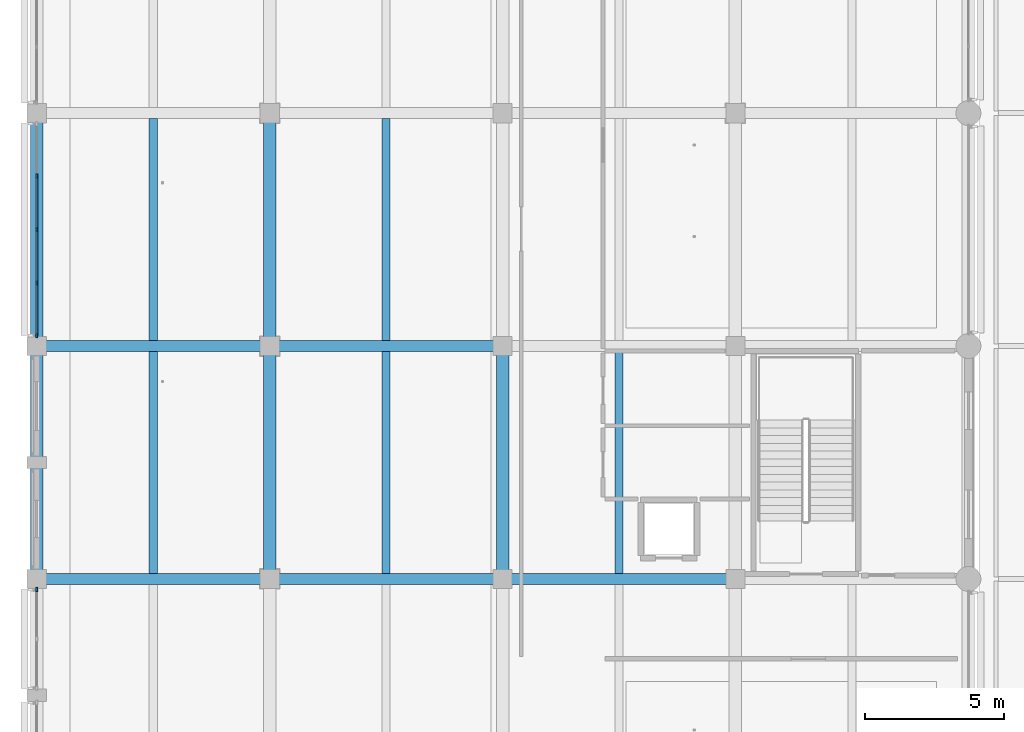
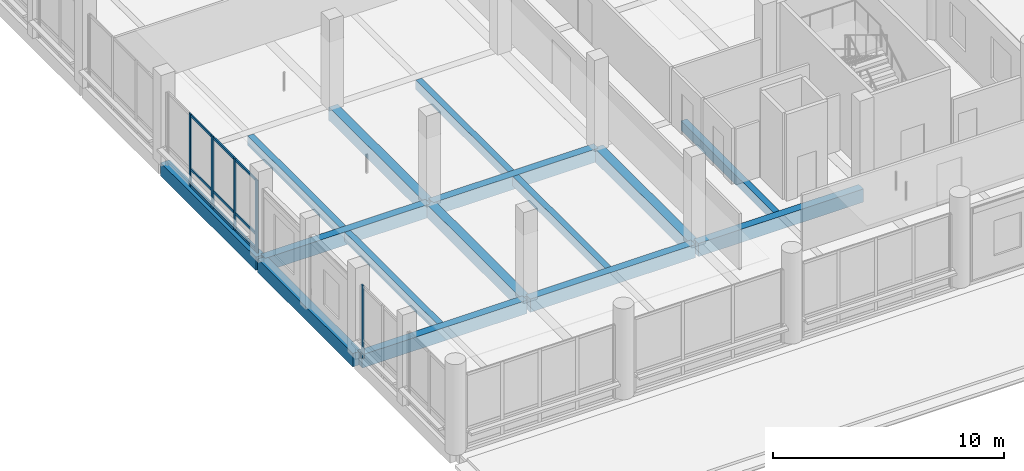
# One storey, part 6 of 128: 15 beams, 14 members, 2 elements without a shape of their own.
"""IFC4 building model written with IfcOpenShell, lengths in metres."""

from ifc_helpers import new_model, si_unit, direction, frame, origin, origin_2d, place, context, subcontext, project, spatial, rectangle, extrude, material, layer, layer_set, material_profile, profile_set, type_object, element, aggregate, save


model = new_model("IFC4")

# Units and contexts
model_context = context("Model", 3, precision=1e-05, world=origin(), true_north=direction((0.0, 1.0)))
body_context = subcontext(model_context, "Body", "Model", "MODEL_VIEW")
ifc_project = project(units=[si_unit("LENGTHUNIT", "METRE"), si_unit("AREAUNIT", "SQUARE_METRE"), si_unit("VOLUMEUNIT", "CUBIC_METRE"), si_unit("PLANEANGLEUNIT", "RADIAN"), si_unit("MASSUNIT", "GRAM", prefix="KILO")], contexts=[model_context])

# Site, building, storey
site_placement = place(None, origin())
site = spatial("IfcSite", under=ifc_project, at=site_placement, CompositionType="ELEMENT")
building_placement = place(site_placement, origin())
building = spatial("IfcBuilding", under=site, at=building_placement, Name="Telukmera Botanical Conservatory", CompositionType="ELEMENT")
storey_placement = place(building_placement, frame((0.0, 0.0, 5.39990234375)))
storey = spatial("IfcBuildingStorey", under=building, at=storey_placement, Name="L01", CompositionType="ELEMENT", Elevation=5.39990234375)

# Beams
ifc_material_1 = material(Name="Concrete C40/50", Category="concrete")
ifc_material_profile_1 = material_profile(ifc_material_1, rectangle(XDim=0.449951171875, YDim=0.699951171875, at=origin_2d()), Name="RC 450x700")
ifc_profile_set_1 = profile_set([ifc_material_profile_1], Name="Concrete C40/50")
beam_type_1 = type_object("IfcBeamType", Name="Beam_B15", PredefinedType="BEAM", material=ifc_profile_set_1)
for number, where, z_axis, x_axis, name in (
    (1, (8.39990234375, 26.080078125, -0.349853515625), (0.0, 1.0, 0.0), (-1.0, 0.0, 0.0), "Visitor Wing Transverse Beam L01"),
    (2, (8.39990234375, 34.47998046875, -0.349853515625), (0.0, 1.0, 0.0), (-1.0, 0.0, 0.0), "Visitor Wing Transverse Beam L01"),
    (3, (16.800048828125, 26.080078125, -0.349853515625), (0.0, 1.0, 0.0), (-1.0, 0.0, 0.0), "Visitor Wing Transverse Beam L01"),
    (4, (16.800048828125, 34.47998046875, -0.349853515625), (0.0, 1.0, 0.0), (-1.0, 0.0, 0.0), "Visitor Wing Transverse Beam L01"),
    (5, (25.199951171875, 26.080078125, -0.349853515625), (0.0, 1.0, 0.0), (-1.0, 0.0, 0.0), "Visitor Wing Transverse Beam L01"),
):
    element("IfcBeam", number, at=place(storey_placement, frame(where, z_axis=z_axis, x_axis=x_axis)), inside=storey, type_object=beam_type_1, Name=name, PredefinedType="BEAM", context=body_context, shape_type="SweptSolid", body=[
        extrude(rectangle(XDim=0.449951171875, YDim=0.699951171875, at=origin_2d()), origin(), (0.0, 0.0, 1.0), 8.239990234375),
    ])
ifc_material_profile_2 = material_profile(ifc_material_1, rectangle(XDim=0.300048828125, YDim=0.5, at=origin_2d()), Name="RC 300x500")
ifc_profile_set_2 = profile_set([ifc_material_profile_2], Name="Concrete C40/50")
beam_type_2 = type_object("IfcBeamType", Name="Beam_B24", PredefinedType="JOIST", material=ifc_profile_set_2)
for number, where, z_axis, x_axis, name in (
    (6, (12.60009765625, 26.199951171875, -0.25), (0.0, 1.0, 0.0), (-1.0, 0.0, 0.0), "Visitor Wing Floor Joist L01"),
    (7, (12.60009765625, 34.60009765625, -0.25), (0.0, 1.0, 0.0), (-1.0, 0.0, 0.0), "Visitor Wing Floor Joist L01"),
    (8, (21.0, 26.199951171875, -0.25), (0.0, 1.0, 0.0), (-1.0, 0.0, 0.0), "Visitor Wing Floor Joist L01"),
    (9, (21.0, 34.60009765625, -0.25), (0.0, 1.0, 0.0), (-1.0, 0.0, 0.0), "Visitor Wing Floor Joist L01"),
    (10, (29.39990234375, 26.199951171875, -0.25), (0.0, 1.0, 0.0), (-1.0, 0.0, 0.0), "Visitor Wing Floor Joist L01"),
):
    element("IfcBeam", number, at=place(storey_placement, frame(where, z_axis=z_axis, x_axis=x_axis)), inside=storey, type_object=beam_type_2, Name=name, PredefinedType="JOIST", context=body_context, shape_type="SweptSolid", body=[
        extrude(rectangle(XDim=0.300048828125, YDim=0.5, at=origin_2d()), origin(), (0.0, 0.0, 1.0), 8.0),
    ])
ifc_material_profile_3 = material_profile(ifc_material_1, rectangle(XDim=0.39990234375, YDim=0.699951171875, at=origin_2d()), Name="RC 400x700")
ifc_profile_set_3 = profile_set([ifc_material_profile_3], Name="Concrete C40/50")
beam_type_3 = type_object("IfcBeamType", Name="Beam_B7", PredefinedType="BEAM", material=ifc_profile_set_3)
beam_1_placement = place(storey_placement, frame((8.47998046875, 26.0, -0.349853515625), z_axis=(1.0, 0.0, 0.0), x_axis=(0.0, 1.0, 0.0)))
element("IfcBeam", 11, at=beam_1_placement, inside=storey, type_object=beam_type_3, Name="Visitor Wing Grid Beam L01", PredefinedType="BEAM", context=body_context, shape_type="SweptSolid", body=[
    extrude(rectangle(XDim=0.39990234375, YDim=0.699951171875, at=origin_2d()), origin(), (0.0, 0.0, 1.0), 8.239990234375),
])
beam_2_placement = place(storey_placement, frame((16.8798828125, 26.0, -0.349853515625), z_axis=(1.0, 0.0, 0.0), x_axis=(0.0, 1.0, 0.0)))
element("IfcBeam", 12, at=beam_2_placement, inside=storey, type_object=beam_type_3, Name="Visitor Wing Grid Beam L01", PredefinedType="BEAM", context=body_context, shape_type="SweptSolid", body=[
    extrude(rectangle(XDim=0.39990234375, YDim=0.699951171875, at=origin_2d()), origin(), (0.0, 0.0, 1.0), 8.240234375),
])
for number, where, z_axis, x_axis, name in (
    (13, (25.280029296875, 26.0, -0.349853515625), (1.0, 0.0, 0.0), (0.0, 1.0, 0.0), "Visitor Wing Grid Beam L01"),
    (14, (8.47998046875, 34.39990234375, -0.349853515625), (1.0, 0.0, 0.0), (0.0, 1.0, 0.0), "Visitor Wing Grid Beam L01"),
):
    element("IfcBeam", number, at=place(storey_placement, frame(where, z_axis=z_axis, x_axis=x_axis)), inside=storey, type_object=beam_type_3, Name=name, PredefinedType="BEAM", context=body_context, shape_type="SweptSolid", body=[
        extrude(rectangle(XDim=0.39990234375, YDim=0.699951171875, at=origin_2d()), origin(), (0.0, 0.0, 1.0), 8.239990234375),
    ])
beam_3_placement = place(storey_placement, frame((16.8798828125, 34.39990234375, -0.349853515625), z_axis=(1.0, 0.0, 0.0), x_axis=(0.0, 1.0, 0.0)))
element("IfcBeam", 15, at=beam_3_placement, inside=storey, type_object=beam_type_3, Name="Visitor Wing Grid Beam L01", PredefinedType="BEAM", context=body_context, shape_type="SweptSolid", body=[
    extrude(rectangle(XDim=0.39990234375, YDim=0.699951171875, at=origin_2d()), origin(), (0.0, 0.0, 1.0), 8.240234375),
])

# Curtain wall, member
ifc_material_2 = material(Name="Anodised aluminium 6063-T6", Category="aluminium")
ifc_layer = layer(ifc_material_2, 0.179931640625)
ifc_layer_set = layer_set([ifc_layer], Name="Anodised aluminium 6063-T6")
curtain_wall_type = type_object("IfcCurtainWallType", Name="Visitor Gallery First Floor Curtain Wall 1800 Mod", PredefinedType="USERDEFINED", material=ifc_layer_set)
curtain_wall_1_placement = place(storey_placement, origin())
curtain_wall_1 = element("IfcCurtainWall", 16, at=curtain_wall_1_placement, inside=storey, type_object=curtain_wall_type, Name="Unitised Curtain Wall CW08 V3:L01:W1B", ObjectType="UNITISED CURTAIN WALL", PredefinedType="USERDEFINED")
ifc_material_profile_4 = material_profile(ifc_material_2, rectangle(XDim=0.06494140625, YDim=0.159912109375, at=origin_2d()), Name="ALU MULL 65x160")
ifc_profile_set_4 = profile_set([ifc_material_profile_4], Name="Anodised aluminium 6063-T6")
member_type_1 = type_object("IfcMemberType", Name="Curtain Wall Extruded Mullion 65x160", PredefinedType="MULLION", material=ifc_profile_set_4)
member_1_placement = place(storey_placement, frame((8.39990234375, 25.615478515625, 0.0), z_axis=(0.0, 0.0, 1.0), x_axis=(-1.0, 0.0, 0.0)))
member_1 = element("IfcMember", 17, at=member_1_placement, type_object=member_type_1, Name="CW08 mullion 3", PredefinedType="MULLION", context=body_context, shape_type="SweptSolid", body=[
    extrude(rectangle(XDim=0.06494140625, YDim=0.159912109375, at=origin_2d()), origin(), (0.0, 0.0, 1.0), 3.85009765625),
])
aggregate(curtain_wall_1, [member_1])

# Curtain wall, members
curtain_wall_2_placement = place(storey_placement, origin())
curtain_wall_2 = element("IfcCurtainWall", 18, at=curtain_wall_2_placement, inside=storey, type_object=curtain_wall_type, Name="Unitised Curtain Wall CW08 V3:L01:W3", ObjectType="UNITISED CURTAIN WALL", PredefinedType="USERDEFINED")
member_2_placement = place(storey_placement, frame((8.39990234375, 34.784423828125, 0.0), z_axis=(0.0, 0.0, 1.0), x_axis=(-1.0, 0.0, 0.0)))
member_2 = element("IfcMember", 19, at=member_2_placement, type_object=member_type_1, Name="CW08 mullion 1", PredefinedType="MULLION", context=body_context, shape_type="SweptSolid", body=[
    extrude(rectangle(XDim=0.06494140625, YDim=0.159912109375, at=origin_2d()), origin(), (0.0, 0.0, 1.0), 3.85009765625),
])
member_3_placement = place(storey_placement, frame((8.39990234375, 36.676025390625, 0.0), z_axis=(0.0, 0.0, 1.0), x_axis=(-1.0, 0.0, 0.0)))
member_3 = element("IfcMember", 20, at=member_3_placement, type_object=member_type_1, Name="CW08 mullion 2", PredefinedType="MULLION", context=body_context, shape_type="SweptSolid", body=[
    extrude(rectangle(XDim=0.06494140625, YDim=0.159912109375, at=origin_2d()), origin(), (0.0, 0.0, 1.0), 3.85009765625),
])
member_4_placement = place(storey_placement, frame((8.39990234375, 38.60009765625, 0.0), z_axis=(0.0, 0.0, 1.0), x_axis=(-1.0, 0.0, 0.0)))
member_4 = element("IfcMember", 21, at=member_4_placement, type_object=member_type_1, Name="CW08 mullion 3", PredefinedType="MULLION", context=body_context, shape_type="SweptSolid", body=[
    extrude(rectangle(XDim=0.06494140625, YDim=0.159912109375, at=origin_2d()), origin(), (0.0, 0.0, 1.0), 3.85009765625),
])
member_5_placement = place(storey_placement, frame((8.39990234375, 40.52392578125, 0.0), z_axis=(0.0, 0.0, 1.0), x_axis=(-1.0, 0.0, 0.0)))
member_5 = element("IfcMember", 22, at=member_5_placement, type_object=member_type_1, Name="CW08 mullion 4", PredefinedType="MULLION", context=body_context, shape_type="SweptSolid", body=[
    extrude(rectangle(XDim=0.06494140625, YDim=0.159912109375, at=origin_2d()), origin(), (0.0, 0.0, 1.0), 3.85009765625),
])
ifc_material_profile_5 = material_profile(ifc_material_2, rectangle(XDim=0.06494140625, YDim=0.1298828125, at=origin_2d()), Name="ALU TRAN 65x130")
ifc_profile_set_5 = profile_set([ifc_material_profile_5], Name="Anodised aluminium 6063-T6")
member_type_2 = type_object("IfcMemberType", Name="Curtain Wall Extruded Transom 65x130", PredefinedType="USERDEFINED", material=ifc_profile_set_5)
member_6_placement = place(storey_placement, frame((8.39990234375, 34.81689453125, 0.065185546875), z_axis=(0.0, 1.0, 0.0), x_axis=(-1.0, 0.0, 0.0)))
member_6 = element("IfcMember", 23, at=member_6_placement, type_object=member_type_2, Name="CW08 transom 1.1", ObjectType="TRANSOM", PredefinedType="USERDEFINED", context=body_context, shape_type="SweptSolid", body=[
    extrude(rectangle(XDim=0.06494140625, YDim=0.1298828125, at=origin_2d()), origin(), (0.0, 0.0, 1.0), 1.82666015625),
])
member_7_placement = place(storey_placement, frame((8.39990234375, 34.81689453125, 0.9501953125), z_axis=(0.0, 1.0, 0.0), x_axis=(-1.0, 0.0, 0.0)))
member_7 = element("IfcMember", 24, at=member_7_placement, type_object=member_type_2, Name="CW08 transom 1.2", ObjectType="TRANSOM", PredefinedType="USERDEFINED", context=body_context, shape_type="SweptSolid", body=[
    extrude(rectangle(XDim=0.06494140625, YDim=0.1298828125, at=origin_2d()), origin(), (0.0, 0.0, 1.0), 1.82666015625),
])
member_8_placement = place(storey_placement, frame((8.39990234375, 34.81689453125, 3.78515625), z_axis=(0.0, 1.0, 0.0), x_axis=(-1.0, 0.0, 0.0)))
member_8 = element("IfcMember", 25, at=member_8_placement, type_object=member_type_2, Name="CW08 transom 1.3", ObjectType="TRANSOM", PredefinedType="USERDEFINED", context=body_context, shape_type="SweptSolid", body=[
    extrude(rectangle(XDim=0.06494140625, YDim=0.1298828125, at=origin_2d()), origin(), (0.0, 0.0, 1.0), 1.82666015625),
])
member_9_placement = place(storey_placement, frame((8.39990234375, 36.70849609375, 0.065185546875), z_axis=(0.0, 1.0, 0.0), x_axis=(-1.0, 0.0, 0.0)))
member_9 = element("IfcMember", 26, at=member_9_placement, type_object=member_type_2, Name="CW08 transom 2.1", ObjectType="TRANSOM", PredefinedType="USERDEFINED", context=body_context, shape_type="SweptSolid", body=[
    extrude(rectangle(XDim=0.06494140625, YDim=0.1298828125, at=origin_2d()), origin(), (0.0, 0.0, 1.0), 1.85888671875),
])
member_10_placement = place(storey_placement, frame((8.39990234375, 36.70849609375, 0.9501953125), z_axis=(0.0, 1.0, 0.0), x_axis=(-1.0, 0.0, 0.0)))
member_10 = element("IfcMember", 27, at=member_10_placement, type_object=member_type_2, Name="CW08 transom 2.2", ObjectType="TRANSOM", PredefinedType="USERDEFINED", context=body_context, shape_type="SweptSolid", body=[
    extrude(rectangle(XDim=0.06494140625, YDim=0.1298828125, at=origin_2d()), origin(), (0.0, 0.0, 1.0), 1.85888671875),
])
member_11_placement = place(storey_placement, frame((8.39990234375, 36.70849609375, 3.78515625), z_axis=(0.0, 1.0, 0.0), x_axis=(-1.0, 0.0, 0.0)))
member_11 = element("IfcMember", 28, at=member_11_placement, type_object=member_type_2, Name="CW08 transom 2.3", ObjectType="TRANSOM", PredefinedType="USERDEFINED", context=body_context, shape_type="SweptSolid", body=[
    extrude(rectangle(XDim=0.06494140625, YDim=0.1298828125, at=origin_2d()), origin(), (0.0, 0.0, 1.0), 1.85888671875),
])
member_12_placement = place(storey_placement, frame((8.39990234375, 38.632568359375, 0.065185546875), z_axis=(0.0, 1.0, 0.0), x_axis=(-1.0, 0.0, 0.0)))
member_12 = element("IfcMember", 29, at=member_12_placement, type_object=member_type_2, Name="CW08 transom 3.1", ObjectType="TRANSOM", PredefinedType="USERDEFINED", context=body_context, shape_type="SweptSolid", body=[
    extrude(rectangle(XDim=0.06494140625, YDim=0.1298828125, at=origin_2d()), origin(), (0.0, 0.0, 1.0), 1.85888671875),
])
member_13_placement = place(storey_placement, frame((8.39990234375, 38.632568359375, 0.9501953125), z_axis=(0.0, 1.0, 0.0), x_axis=(-1.0, 0.0, 0.0)))
member_13 = element("IfcMember", 30, at=member_13_placement, type_object=member_type_2, Name="CW08 transom 3.2", ObjectType="TRANSOM", PredefinedType="USERDEFINED", context=body_context, shape_type="SweptSolid", body=[
    extrude(rectangle(XDim=0.06494140625, YDim=0.1298828125, at=origin_2d()), origin(), (0.0, 0.0, 1.0), 1.85888671875),
])
member_14_placement = place(storey_placement, frame((8.39990234375, 38.632568359375, 3.78515625), z_axis=(0.0, 1.0, 0.0), x_axis=(-1.0, 0.0, 0.0)))
member_14 = element("IfcMember", 31, at=member_14_placement, type_object=member_type_2, Name="CW08 transom 3.3", ObjectType="TRANSOM", PredefinedType="USERDEFINED", context=body_context, shape_type="SweptSolid", body=[
    extrude(rectangle(XDim=0.06494140625, YDim=0.1298828125, at=origin_2d()), origin(), (0.0, 0.0, 1.0), 1.85888671875),
])
aggregate(curtain_wall_2, [member_2, member_3, member_4, member_5, member_6, member_7, member_8, member_9, member_10, member_11, member_12, member_13, member_14])

save(model, "model.ifc")
